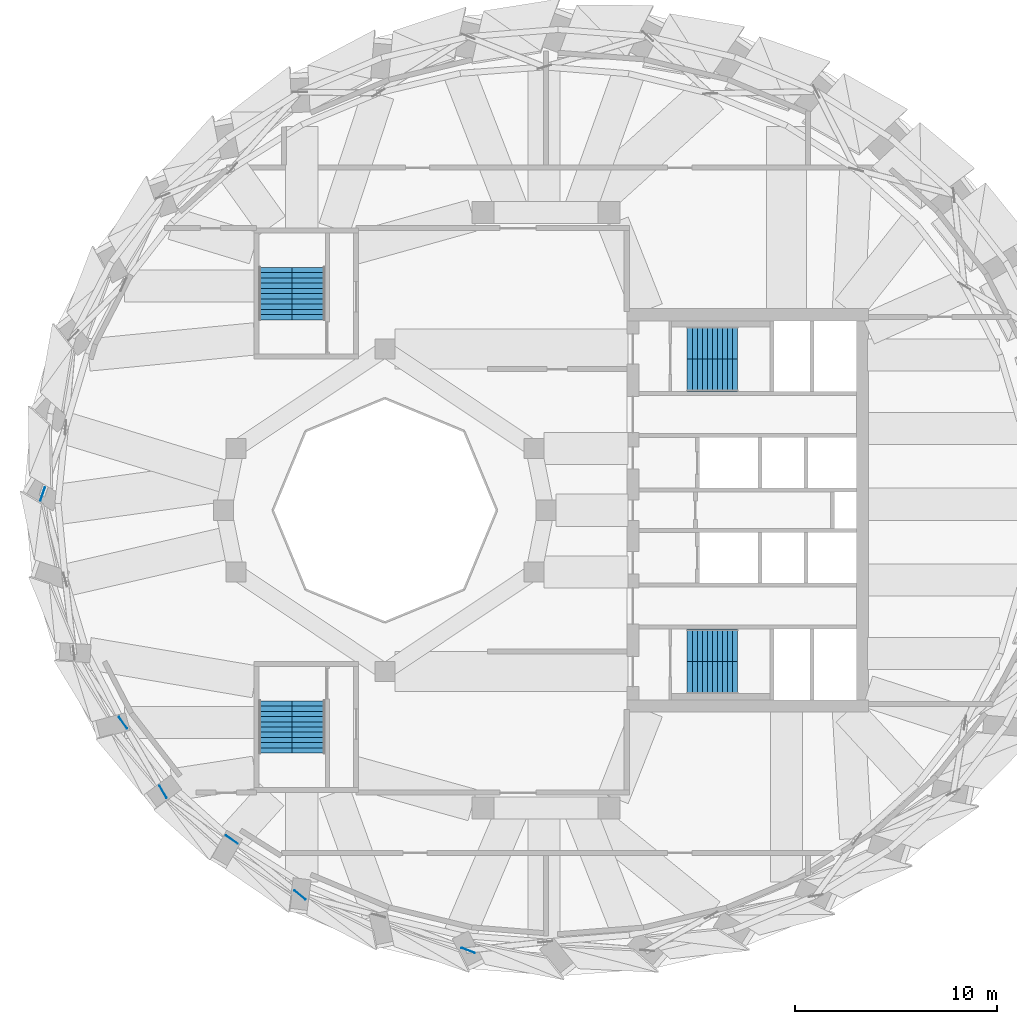
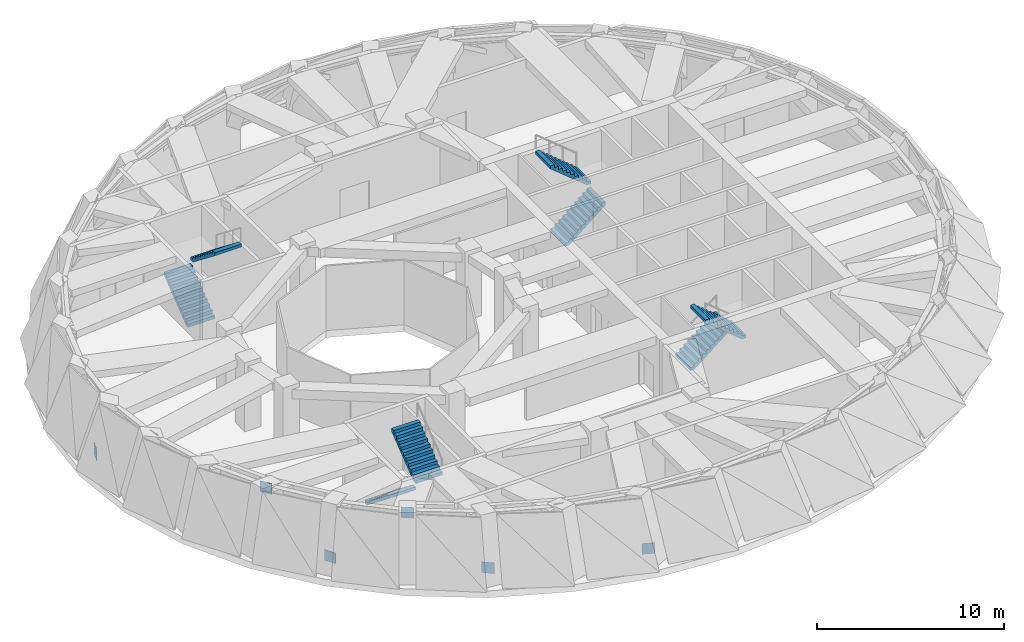
# One storey, part 7 of 14: 8 stair flights, 6 discrete accessories, 4 elements without a shape of their own.
"""IFC4 building model written with IfcOpenShell, lengths in metres."""

from ifc_helpers import new_model, si_unit, direction, frame, origin, origin_2d, place, context, subcontext, project, spatial, polyline, rectangle, outline, extrude, material, type_object, element, aggregate, save


model = new_model("IFC4")

# Units and contexts
model_context = context("Model", 3, precision=1e-05, world=origin(), true_north=direction((0.0, 1.0)))
body_context = subcontext(model_context, "Body", "Model", "MODEL_VIEW")
ifc_project = project(units=[si_unit("LENGTHUNIT", "METRE"), si_unit("AREAUNIT", "SQUARE_METRE"), si_unit("VOLUMEUNIT", "CUBIC_METRE"), si_unit("PLANEANGLEUNIT", "RADIAN"), si_unit("MASSUNIT", "GRAM", prefix="KILO")], contexts=[model_context])

# Site, building, storey
site_placement = place(None, origin())
site = spatial("IfcSite", under=ifc_project, at=site_placement, CompositionType="ELEMENT")
building_placement = place(site_placement, origin())
building = spatial("IfcBuilding", under=site, at=building_placement, Name="Taillehof Tower", CompositionType="ELEMENT")
storey_placement = place(building_placement, frame((0.0, 0.0, 228.800048828125)))
storey = spatial("IfcBuildingStorey", under=building, at=storey_placement, Name="L65", CompositionType="ELEMENT", Elevation=228.800048828125)

# Stair, stair flights
ifc_material_1 = material(Name="Concrete C40/50", Category="concrete")
stair_type = type_object("IfcStairType", Name="Exit stair half-turn", PredefinedType="HALF_TURN_STAIR", material=ifc_material_1)
stair_1_placement = place(storey_placement, origin())
stair_1 = element("IfcStair", 1, at=stair_1_placement, inside=storey, type_object=stair_type, Name="Exit stair S1", PredefinedType="HALF_TURN_STAIR")
ifc_material_2 = material(Name="Concrete C40/50", Category="concrete")
stair_flight_type_1 = type_object("IfcStairFlightType", Name="Stair flight 1600 riser 204.5 going 250", PredefinedType="STRAIGHT", material=ifc_material_2)
stair_flight_1_placement = place(storey_placement, frame((7.0, 6.699951171875, 0.0), z_axis=(0.0, 0.0, 1.0), x_axis=(1.0, 0.0, 0.0)))
stair_flight_1 = element("IfcStairFlight", 2, at=stair_flight_1_placement, type_object=stair_flight_type_1, Name="S1 flight 1", NumberOfRisers=11, NumberOfTreads=10, PredefinedType="STRAIGHT", RiserHeight=0.204545455, TreadLength=0.25, context=body_context, shape_type="SweptSolid", body=[
    extrude(outline(polyline([(0.0, 0.0), (0.0, 0.006103515625), (0.0, 0.011962890625), (0.0, 0.01806640625), (0.0, 0.024169921875), (0.0, 0.030029296875), (0.0, 0.0361328125), (0.0, 0.0419921875), (0.0, 0.048095703125), (0.0, 0.05419921875), (0.0, 0.06005859375), (0.0, 0.066162109375), (0.0, 0.072265625), (0.0, 0.078125), (0.0, 0.084228515625), (0.0, 0.09033203125), (0.0, 0.09619140625), (0.0, 0.102294921875), (0.0, 0.1083984375), (0.0, 0.1142578125), (0.0, 0.120361328125), (0.0, 0.126220703125), (0.0, 0.13232421875), (0.0, 0.138427734375), (0.0, 0.144287109375), (0.0, 0.150390625), (0.0, 0.156494140625), (0.0, 0.162353515625), (0.0, 0.16845703125), (0.0, 0.174560546875), (0.0, 0.180419921875), (0.0, 0.1865234375), (0.0, 0.192626953125), (0.0, 0.198486328125), (0.0, 0.20458984375), (0.25, 0.20458984375), (0.25, 0.4091796875), (0.5, 0.4091796875), (0.5, 0.613525390625), (0.75, 0.613525390625), (0.75, 0.818115234375), (1.0, 0.818115234375), (1.0, 1.022705078125), (1.25, 1.022705078125), (1.25, 1.227294921875), (1.5, 1.227294921875), (1.5, 1.431884765625), (1.75, 1.431884765625), (1.75, 1.636474609375), (2.0, 1.636474609375), (2.0, 1.8408203125), (2.25, 1.8408203125), (2.25, 2.04541015625), (2.5, 2.04541015625), (2.5, 2.039794921875), (2.5, 2.0341796875), (2.5, 2.0283203125), (2.5, 2.022705078125), (2.5, 2.01708984375), (2.5, 2.01123046875), (2.5, 2.005615234375), (2.5, 2.0), (2.5, 1.994140625), (2.5, 1.988525390625), (2.5, 1.98291015625), (2.5, 1.97705078125), (2.5, 1.971435546875), (2.5, 1.9658203125), (2.5, 1.9599609375), (2.5, 1.954345703125), (2.5, 1.94873046875), (2.5, 1.94287109375), (2.5, 1.937255859375), (2.5, 1.931640625), (2.5, 1.92578125), (2.5, 1.920166015625), (2.5, 1.91455078125), (2.5, 1.90869140625), (2.5, 1.903076171875), (2.5, 1.8974609375), (2.5, 1.8916015625), (2.5, 1.885986328125), (2.5, 1.88037109375), (2.5, 1.87451171875), (2.5, 1.868896484375), (2.5, 1.86328125), (2.5, 1.857421875), (2.5, 1.851806640625), (0.23681640625, 0.0), (0.0, 0.0)])), frame((0.0, 0.800048828125, 0.0), z_axis=(0.0, -1.0, 0.0), x_axis=(1.0, 0.0, 0.0)), (0.0, 0.0, 1.0), 1.6),
])
stair_flight_2_placement = place(storey_placement, frame((9.5, 8.300048828125, 2.25), z_axis=(0.0, 0.0, 1.0), x_axis=(-1.0, 0.0, 0.0)))
stair_flight_2 = element("IfcStairFlight", 3, at=stair_flight_2_placement, type_object=stair_flight_type_1, Name="S1 flight 2", NumberOfRisers=11, NumberOfTreads=10, PredefinedType="STRAIGHT", RiserHeight=0.204545455, TreadLength=0.25, context=body_context, shape_type="SweptSolid", body=[
    extrude(outline(polyline([(0.0, 0.0), (0.0, 0.006103515625), (0.0, 0.011962890625), (0.0, 0.01806640625), (0.0, 0.024169921875), (0.0, 0.030029296875), (0.0, 0.0361328125), (0.0, 0.0419921875), (0.0, 0.048095703125), (0.0, 0.05419921875), (0.0, 0.06005859375), (0.0, 0.066162109375), (0.0, 0.072265625), (0.0, 0.078125), (0.0, 0.084228515625), (0.0, 0.09033203125), (0.0, 0.09619140625), (0.0, 0.102294921875), (0.0, 0.1083984375), (0.0, 0.1142578125), (0.0, 0.120361328125), (0.0, 0.126220703125), (0.0, 0.13232421875), (0.0, 0.138427734375), (0.0, 0.144287109375), (0.0, 0.150390625), (0.0, 0.156494140625), (0.0, 0.162353515625), (0.0, 0.16845703125), (0.0, 0.174560546875), (0.0, 0.180419921875), (0.0, 0.1865234375), (0.0, 0.192626953125), (0.0, 0.198486328125), (0.0, 0.20458984375), (0.25, 0.20458984375), (0.25, 0.4091796875), (0.5, 0.4091796875), (0.5, 0.613525390625), (0.75, 0.613525390625), (0.75, 0.818115234375), (1.0, 0.818115234375), (1.0, 1.022705078125), (1.25, 1.022705078125), (1.25, 1.227294921875), (1.5, 1.227294921875), (1.5, 1.431884765625), (1.75, 1.431884765625), (1.75, 1.636474609375), (2.0, 1.636474609375), (2.0, 1.8408203125), (2.25, 1.8408203125), (2.25, 2.04541015625), (2.5, 2.04541015625), (2.5, 2.039794921875), (2.5, 2.0341796875), (2.5, 2.0283203125), (2.5, 2.022705078125), (2.5, 2.01708984375), (2.5, 2.01123046875), (2.5, 2.005615234375), (2.5, 2.0), (2.5, 1.994140625), (2.5, 1.988525390625), (2.5, 1.98291015625), (2.5, 1.97705078125), (2.5, 1.971435546875), (2.5, 1.9658203125), (2.5, 1.9599609375), (2.5, 1.954345703125), (2.5, 1.94873046875), (2.5, 1.94287109375), (2.5, 1.937255859375), (2.5, 1.931640625), (2.5, 1.92578125), (2.5, 1.920166015625), (2.5, 1.91455078125), (2.5, 1.90869140625), (2.5, 1.903076171875), (2.5, 1.8974609375), (2.5, 1.8916015625), (2.5, 1.885986328125), (2.5, 1.88037109375), (2.5, 1.87451171875), (2.5, 1.868896484375), (2.5, 1.86328125), (2.5, 1.857421875), (2.5, 1.851806640625), (0.23681640625, 0.0), (0.0, 0.0)])), frame((0.0, 0.800048828125, 0.0), z_axis=(0.0, -1.0, 0.0), x_axis=(1.0, 0.0, 0.0)), (0.0, 0.0, 1.0), 1.6),
])
aggregate(stair_1, [stair_flight_1, stair_flight_2])

stair_2_placement = place(storey_placement, origin())
stair_2 = element("IfcStair", 4, at=stair_2_placement, inside=storey, type_object=stair_type, Name="Exit stair S2", PredefinedType="HALF_TURN_STAIR")
stair_flight_3_placement = place(storey_placement, frame((7.0, -6.699951171875, 0.0), z_axis=(0.0, 0.0, 1.0), x_axis=(1.0, 0.0, 0.0)))
stair_flight_3 = element("IfcStairFlight", 5, at=stair_flight_3_placement, type_object=stair_flight_type_1, Name="S2 flight 1", NumberOfRisers=11, NumberOfTreads=10, PredefinedType="STRAIGHT", RiserHeight=0.204545455, TreadLength=0.25, context=body_context, shape_type="SweptSolid", body=[
    extrude(outline(polyline([(0.0, 0.0), (0.0, 0.006103515625), (0.0, 0.011962890625), (0.0, 0.01806640625), (0.0, 0.024169921875), (0.0, 0.030029296875), (0.0, 0.0361328125), (0.0, 0.0419921875), (0.0, 0.048095703125), (0.0, 0.05419921875), (0.0, 0.06005859375), (0.0, 0.066162109375), (0.0, 0.072265625), (0.0, 0.078125), (0.0, 0.084228515625), (0.0, 0.09033203125), (0.0, 0.09619140625), (0.0, 0.102294921875), (0.0, 0.1083984375), (0.0, 0.1142578125), (0.0, 0.120361328125), (0.0, 0.126220703125), (0.0, 0.13232421875), (0.0, 0.138427734375), (0.0, 0.144287109375), (0.0, 0.150390625), (0.0, 0.156494140625), (0.0, 0.162353515625), (0.0, 0.16845703125), (0.0, 0.174560546875), (0.0, 0.180419921875), (0.0, 0.1865234375), (0.0, 0.192626953125), (0.0, 0.198486328125), (0.0, 0.20458984375), (0.25, 0.20458984375), (0.25, 0.4091796875), (0.5, 0.4091796875), (0.5, 0.613525390625), (0.75, 0.613525390625), (0.75, 0.818115234375), (1.0, 0.818115234375), (1.0, 1.022705078125), (1.25, 1.022705078125), (1.25, 1.227294921875), (1.5, 1.227294921875), (1.5, 1.431884765625), (1.75, 1.431884765625), (1.75, 1.636474609375), (2.0, 1.636474609375), (2.0, 1.8408203125), (2.25, 1.8408203125), (2.25, 2.04541015625), (2.5, 2.04541015625), (2.5, 2.039794921875), (2.5, 2.0341796875), (2.5, 2.0283203125), (2.5, 2.022705078125), (2.5, 2.01708984375), (2.5, 2.01123046875), (2.5, 2.005615234375), (2.5, 2.0), (2.5, 1.994140625), (2.5, 1.988525390625), (2.5, 1.98291015625), (2.5, 1.97705078125), (2.5, 1.971435546875), (2.5, 1.9658203125), (2.5, 1.9599609375), (2.5, 1.954345703125), (2.5, 1.94873046875), (2.5, 1.94287109375), (2.5, 1.937255859375), (2.5, 1.931640625), (2.5, 1.92578125), (2.5, 1.920166015625), (2.5, 1.91455078125), (2.5, 1.90869140625), (2.5, 1.903076171875), (2.5, 1.8974609375), (2.5, 1.8916015625), (2.5, 1.885986328125), (2.5, 1.88037109375), (2.5, 1.87451171875), (2.5, 1.868896484375), (2.5, 1.86328125), (2.5, 1.857421875), (2.5, 1.851806640625), (0.23681640625, 0.0), (0.0, 0.0)])), frame((0.0, 0.800048828125, 0.0), z_axis=(0.0, -1.0, 0.0), x_axis=(1.0, 0.0, 0.0)), (0.0, 0.0, 1.0), 1.6),
])
stair_flight_4_placement = place(storey_placement, frame((9.5, -8.300048828125, 2.25), z_axis=(0.0, 0.0, 1.0), x_axis=(-1.0, 0.0, 0.0)))
stair_flight_4 = element("IfcStairFlight", 6, at=stair_flight_4_placement, type_object=stair_flight_type_1, Name="S2 flight 2", NumberOfRisers=11, NumberOfTreads=10, PredefinedType="STRAIGHT", RiserHeight=0.204545455, TreadLength=0.25, context=body_context, shape_type="SweptSolid", body=[
    extrude(outline(polyline([(0.0, 0.0), (0.0, 0.006103515625), (0.0, 0.011962890625), (0.0, 0.01806640625), (0.0, 0.024169921875), (0.0, 0.030029296875), (0.0, 0.0361328125), (0.0, 0.0419921875), (0.0, 0.048095703125), (0.0, 0.05419921875), (0.0, 0.06005859375), (0.0, 0.066162109375), (0.0, 0.072265625), (0.0, 0.078125), (0.0, 0.084228515625), (0.0, 0.09033203125), (0.0, 0.09619140625), (0.0, 0.102294921875), (0.0, 0.1083984375), (0.0, 0.1142578125), (0.0, 0.120361328125), (0.0, 0.126220703125), (0.0, 0.13232421875), (0.0, 0.138427734375), (0.0, 0.144287109375), (0.0, 0.150390625), (0.0, 0.156494140625), (0.0, 0.162353515625), (0.0, 0.16845703125), (0.0, 0.174560546875), (0.0, 0.180419921875), (0.0, 0.1865234375), (0.0, 0.192626953125), (0.0, 0.198486328125), (0.0, 0.20458984375), (0.25, 0.20458984375), (0.25, 0.4091796875), (0.5, 0.4091796875), (0.5, 0.613525390625), (0.75, 0.613525390625), (0.75, 0.818115234375), (1.0, 0.818115234375), (1.0, 1.022705078125), (1.25, 1.022705078125), (1.25, 1.227294921875), (1.5, 1.227294921875), (1.5, 1.431884765625), (1.75, 1.431884765625), (1.75, 1.636474609375), (2.0, 1.636474609375), (2.0, 1.8408203125), (2.25, 1.8408203125), (2.25, 2.04541015625), (2.5, 2.04541015625), (2.5, 2.039794921875), (2.5, 2.0341796875), (2.5, 2.0283203125), (2.5, 2.022705078125), (2.5, 2.01708984375), (2.5, 2.01123046875), (2.5, 2.005615234375), (2.5, 2.0), (2.5, 1.994140625), (2.5, 1.988525390625), (2.5, 1.98291015625), (2.5, 1.97705078125), (2.5, 1.971435546875), (2.5, 1.9658203125), (2.5, 1.9599609375), (2.5, 1.954345703125), (2.5, 1.94873046875), (2.5, 1.94287109375), (2.5, 1.937255859375), (2.5, 1.931640625), (2.5, 1.92578125), (2.5, 1.920166015625), (2.5, 1.91455078125), (2.5, 1.90869140625), (2.5, 1.903076171875), (2.5, 1.8974609375), (2.5, 1.8916015625), (2.5, 1.885986328125), (2.5, 1.88037109375), (2.5, 1.87451171875), (2.5, 1.868896484375), (2.5, 1.86328125), (2.5, 1.857421875), (2.5, 1.851806640625), (0.23681640625, 0.0), (0.0, 0.0)])), frame((0.0, 0.800048828125, 0.0), z_axis=(0.0, -1.0, 0.0), x_axis=(1.0, 0.0, 0.0)), (0.0, 0.0, 1.0), 1.6),
])
aggregate(stair_2, [stair_flight_3, stair_flight_4])

stair_3_placement = place(storey_placement, origin())
stair_3 = element("IfcStair", 7, at=stair_3_placement, inside=storey, type_object=stair_type, Name="Exit stair S3", PredefinedType="HALF_TURN_STAIR")
ifc_material_3 = material(Name="Concrete C40/50", Category="concrete")
stair_flight_type_2 = type_object("IfcStairFlightType", Name="Stair flight 1650 riser 204.5 going 260", PredefinedType="STRAIGHT", material=ifc_material_3)
stair_flight_5_placement = place(storey_placement, frame((-13.425048828125, 9.449951171875, 0.0), z_axis=(0.0, 0.0, 1.0), x_axis=(0.0, 1.0, 0.0)))
stair_flight_5 = element("IfcStairFlight", 8, at=stair_flight_5_placement, type_object=stair_flight_type_2, Name="S3 flight 1", NumberOfRisers=11, NumberOfTreads=10, PredefinedType="STRAIGHT", RiserHeight=0.204545455, TreadLength=0.26, context=body_context, shape_type="SweptSolid", body=[
    extrude(outline(polyline([(0.0, 0.0), (0.0, 0.006103515625), (0.0, 0.011962890625), (0.0, 0.01806640625), (0.0, 0.024169921875), (0.0, 0.030029296875), (0.0, 0.0361328125), (0.0, 0.0419921875), (0.0, 0.048095703125), (0.0, 0.05419921875), (0.0, 0.06005859375), (0.0, 0.066162109375), (0.0, 0.072265625), (0.0, 0.078125), (0.0, 0.084228515625), (0.0, 0.09033203125), (0.0, 0.09619140625), (0.0, 0.102294921875), (0.0, 0.1083984375), (0.0, 0.1142578125), (0.0, 0.120361328125), (0.0, 0.126220703125), (0.0, 0.13232421875), (0.0, 0.138427734375), (0.0, 0.144287109375), (0.0, 0.150390625), (0.0, 0.156494140625), (0.0, 0.162353515625), (0.0, 0.16845703125), (0.0, 0.174560546875), (0.0, 0.180419921875), (0.0, 0.1865234375), (0.0, 0.192626953125), (0.0, 0.198486328125), (0.0, 0.20458984375), (0.260009765625, 0.20458984375), (0.260009765625, 0.4091796875), (0.52001953125, 0.4091796875), (0.52001953125, 0.613525390625), (0.780029296875, 0.613525390625), (0.780029296875, 0.818115234375), (1.0400390625, 0.818115234375), (1.0400390625, 1.022705078125), (1.300048828125, 1.022705078125), (1.300048828125, 1.227294921875), (1.56005859375, 1.227294921875), (1.56005859375, 1.431884765625), (1.820068359375, 1.431884765625), (1.820068359375, 1.636474609375), (2.080078125, 1.636474609375), (2.080078125, 1.8408203125), (2.340087890625, 1.8408203125), (2.340087890625, 2.04541015625), (2.60009765625, 2.04541015625), (2.60009765625, 2.039794921875), (2.60009765625, 2.0341796875), (2.60009765625, 2.028564453125), (2.60009765625, 2.02294921875), (2.60009765625, 2.017333984375), (2.60009765625, 2.01171875), (2.60009765625, 2.006103515625), (2.60009765625, 2.00048828125), (2.60009765625, 1.994873046875), (2.60009765625, 1.9892578125), (2.60009765625, 1.983642578125), (2.60009765625, 1.97802734375), (2.60009765625, 1.972412109375), (2.60009765625, 1.966796875), (2.60009765625, 1.96142578125), (2.60009765625, 1.955810546875), (2.60009765625, 1.9501953125), (2.60009765625, 1.944580078125), (2.60009765625, 1.93896484375), (2.60009765625, 1.933349609375), (2.60009765625, 1.927734375), (2.60009765625, 1.922119140625), (2.60009765625, 1.91650390625), (2.60009765625, 1.910888671875), (2.60009765625, 1.9052734375), (2.60009765625, 1.899658203125), (2.60009765625, 1.89404296875), (2.60009765625, 1.888427734375), (2.60009765625, 1.8828125), (2.60009765625, 1.877197265625), (2.60009765625, 1.87158203125), (2.60009765625, 1.865966796875), (2.60009765625, 1.8603515625), (2.60009765625, 1.854736328125), (0.242431640625, 0.0), (0.0, 0.0)])), frame((0.0, 0.824951171875, 0.0), z_axis=(0.0, -1.0, 0.0), x_axis=(1.0, 0.0, 0.0)), (0.0, 0.0, 1.0), 1.65),
])
stair_flight_6_placement = place(storey_placement, frame((-11.77490234375, 12.050048828125, 2.25), z_axis=(0.0, 0.0, 1.0), x_axis=(0.0, -1.0, 0.0)))
stair_flight_6 = element("IfcStairFlight", 9, at=stair_flight_6_placement, type_object=stair_flight_type_2, Name="S3 flight 2", NumberOfRisers=11, NumberOfTreads=10, PredefinedType="STRAIGHT", RiserHeight=0.204545455, TreadLength=0.26, context=body_context, shape_type="SweptSolid", body=[
    extrude(outline(polyline([(0.0, 0.0), (0.0, 0.006103515625), (0.0, 0.011962890625), (0.0, 0.01806640625), (0.0, 0.024169921875), (0.0, 0.030029296875), (0.0, 0.0361328125), (0.0, 0.0419921875), (0.0, 0.048095703125), (0.0, 0.05419921875), (0.0, 0.06005859375), (0.0, 0.066162109375), (0.0, 0.072265625), (0.0, 0.078125), (0.0, 0.084228515625), (0.0, 0.09033203125), (0.0, 0.09619140625), (0.0, 0.102294921875), (0.0, 0.1083984375), (0.0, 0.1142578125), (0.0, 0.120361328125), (0.0, 0.126220703125), (0.0, 0.13232421875), (0.0, 0.138427734375), (0.0, 0.144287109375), (0.0, 0.150390625), (0.0, 0.156494140625), (0.0, 0.162353515625), (0.0, 0.16845703125), (0.0, 0.174560546875), (0.0, 0.180419921875), (0.0, 0.1865234375), (0.0, 0.192626953125), (0.0, 0.198486328125), (0.0, 0.20458984375), (0.260009765625, 0.20458984375), (0.260009765625, 0.4091796875), (0.52001953125, 0.4091796875), (0.52001953125, 0.613525390625), (0.780029296875, 0.613525390625), (0.780029296875, 0.818115234375), (1.0400390625, 0.818115234375), (1.0400390625, 1.022705078125), (1.300048828125, 1.022705078125), (1.300048828125, 1.227294921875), (1.56005859375, 1.227294921875), (1.56005859375, 1.431884765625), (1.820068359375, 1.431884765625), (1.820068359375, 1.636474609375), (2.080078125, 1.636474609375), (2.080078125, 1.8408203125), (2.340087890625, 1.8408203125), (2.340087890625, 2.04541015625), (2.60009765625, 2.04541015625), (2.60009765625, 2.039794921875), (2.60009765625, 2.0341796875), (2.60009765625, 2.028564453125), (2.60009765625, 2.02294921875), (2.60009765625, 2.017333984375), (2.60009765625, 2.01171875), (2.60009765625, 2.006103515625), (2.60009765625, 2.00048828125), (2.60009765625, 1.994873046875), (2.60009765625, 1.9892578125), (2.60009765625, 1.983642578125), (2.60009765625, 1.97802734375), (2.60009765625, 1.972412109375), (2.60009765625, 1.966796875), (2.60009765625, 1.96142578125), (2.60009765625, 1.955810546875), (2.60009765625, 1.9501953125), (2.60009765625, 1.944580078125), (2.60009765625, 1.93896484375), (2.60009765625, 1.933349609375), (2.60009765625, 1.927734375), (2.60009765625, 1.922119140625), (2.60009765625, 1.91650390625), (2.60009765625, 1.910888671875), (2.60009765625, 1.9052734375), (2.60009765625, 1.899658203125), (2.60009765625, 1.89404296875), (2.60009765625, 1.888427734375), (2.60009765625, 1.8828125), (2.60009765625, 1.877197265625), (2.60009765625, 1.87158203125), (2.60009765625, 1.865966796875), (2.60009765625, 1.8603515625), (2.60009765625, 1.854736328125), (0.242431640625, 0.0), (0.0, 0.0)])), frame((0.0, 0.824951171875, 0.0), z_axis=(0.0, -1.0, 0.0), x_axis=(1.0, 0.0, 0.0)), (0.0, 0.0, 1.0), 1.65),
])
aggregate(stair_3, [stair_flight_5, stair_flight_6])

stair_4_placement = place(storey_placement, origin())
stair_4 = element("IfcStair", 10, at=stair_4_placement, inside=storey, type_object=stair_type, Name="Exit stair S4", PredefinedType="HALF_TURN_STAIR")
stair_flight_7_placement = place(storey_placement, frame((-13.425048828125, -9.449951171875, 0.0), z_axis=(0.0, 0.0, 1.0), x_axis=(0.0, -1.0, 0.0)))
stair_flight_7 = element("IfcStairFlight", 11, at=stair_flight_7_placement, type_object=stair_flight_type_2, Name="S4 flight 1", NumberOfRisers=11, NumberOfTreads=10, PredefinedType="STRAIGHT", RiserHeight=0.204545455, TreadLength=0.26, context=body_context, shape_type="SweptSolid", body=[
    extrude(outline(polyline([(0.0, 0.0), (0.0, 0.006103515625), (0.0, 0.011962890625), (0.0, 0.01806640625), (0.0, 0.024169921875), (0.0, 0.030029296875), (0.0, 0.0361328125), (0.0, 0.0419921875), (0.0, 0.048095703125), (0.0, 0.05419921875), (0.0, 0.06005859375), (0.0, 0.066162109375), (0.0, 0.072265625), (0.0, 0.078125), (0.0, 0.084228515625), (0.0, 0.09033203125), (0.0, 0.09619140625), (0.0, 0.102294921875), (0.0, 0.1083984375), (0.0, 0.1142578125), (0.0, 0.120361328125), (0.0, 0.126220703125), (0.0, 0.13232421875), (0.0, 0.138427734375), (0.0, 0.144287109375), (0.0, 0.150390625), (0.0, 0.156494140625), (0.0, 0.162353515625), (0.0, 0.16845703125), (0.0, 0.174560546875), (0.0, 0.180419921875), (0.0, 0.1865234375), (0.0, 0.192626953125), (0.0, 0.198486328125), (0.0, 0.20458984375), (0.260009765625, 0.20458984375), (0.260009765625, 0.4091796875), (0.52001953125, 0.4091796875), (0.52001953125, 0.613525390625), (0.780029296875, 0.613525390625), (0.780029296875, 0.818115234375), (1.0400390625, 0.818115234375), (1.0400390625, 1.022705078125), (1.300048828125, 1.022705078125), (1.300048828125, 1.227294921875), (1.56005859375, 1.227294921875), (1.56005859375, 1.431884765625), (1.820068359375, 1.431884765625), (1.820068359375, 1.636474609375), (2.080078125, 1.636474609375), (2.080078125, 1.8408203125), (2.340087890625, 1.8408203125), (2.340087890625, 2.04541015625), (2.60009765625, 2.04541015625), (2.60009765625, 2.039794921875), (2.60009765625, 2.0341796875), (2.60009765625, 2.028564453125), (2.60009765625, 2.02294921875), (2.60009765625, 2.017333984375), (2.60009765625, 2.01171875), (2.60009765625, 2.006103515625), (2.60009765625, 2.00048828125), (2.60009765625, 1.994873046875), (2.60009765625, 1.9892578125), (2.60009765625, 1.983642578125), (2.60009765625, 1.97802734375), (2.60009765625, 1.972412109375), (2.60009765625, 1.966796875), (2.60009765625, 1.96142578125), (2.60009765625, 1.955810546875), (2.60009765625, 1.9501953125), (2.60009765625, 1.944580078125), (2.60009765625, 1.93896484375), (2.60009765625, 1.933349609375), (2.60009765625, 1.927734375), (2.60009765625, 1.922119140625), (2.60009765625, 1.91650390625), (2.60009765625, 1.910888671875), (2.60009765625, 1.9052734375), (2.60009765625, 1.899658203125), (2.60009765625, 1.89404296875), (2.60009765625, 1.888427734375), (2.60009765625, 1.8828125), (2.60009765625, 1.877197265625), (2.60009765625, 1.87158203125), (2.60009765625, 1.865966796875), (2.60009765625, 1.8603515625), (2.60009765625, 1.854736328125), (0.242431640625, 0.0), (0.0, 0.0)])), frame((0.0, 0.824951171875, 0.0), z_axis=(0.0, -1.0, 0.0), x_axis=(1.0, 0.0, 0.0)), (0.0, 0.0, 1.0), 1.65),
])
stair_flight_8_placement = place(storey_placement, frame((-11.77490234375, -12.050048828125, 2.25), z_axis=(0.0, 0.0, 1.0), x_axis=(0.0, 1.0, 0.0)))
stair_flight_8 = element("IfcStairFlight", 12, at=stair_flight_8_placement, type_object=stair_flight_type_2, Name="S4 flight 2", NumberOfRisers=11, NumberOfTreads=10, PredefinedType="STRAIGHT", RiserHeight=0.204545455, TreadLength=0.26, context=body_context, shape_type="SweptSolid", body=[
    extrude(outline(polyline([(0.0, 0.0), (0.0, 0.006103515625), (0.0, 0.011962890625), (0.0, 0.01806640625), (0.0, 0.024169921875), (0.0, 0.030029296875), (0.0, 0.0361328125), (0.0, 0.0419921875), (0.0, 0.048095703125), (0.0, 0.05419921875), (0.0, 0.06005859375), (0.0, 0.066162109375), (0.0, 0.072265625), (0.0, 0.078125), (0.0, 0.084228515625), (0.0, 0.09033203125), (0.0, 0.09619140625), (0.0, 0.102294921875), (0.0, 0.1083984375), (0.0, 0.1142578125), (0.0, 0.120361328125), (0.0, 0.126220703125), (0.0, 0.13232421875), (0.0, 0.138427734375), (0.0, 0.144287109375), (0.0, 0.150390625), (0.0, 0.156494140625), (0.0, 0.162353515625), (0.0, 0.16845703125), (0.0, 0.174560546875), (0.0, 0.180419921875), (0.0, 0.1865234375), (0.0, 0.192626953125), (0.0, 0.198486328125), (0.0, 0.20458984375), (0.260009765625, 0.20458984375), (0.260009765625, 0.4091796875), (0.52001953125, 0.4091796875), (0.52001953125, 0.613525390625), (0.780029296875, 0.613525390625), (0.780029296875, 0.818115234375), (1.0400390625, 0.818115234375), (1.0400390625, 1.022705078125), (1.300048828125, 1.022705078125), (1.300048828125, 1.227294921875), (1.56005859375, 1.227294921875), (1.56005859375, 1.431884765625), (1.820068359375, 1.431884765625), (1.820068359375, 1.636474609375), (2.080078125, 1.636474609375), (2.080078125, 1.8408203125), (2.340087890625, 1.8408203125), (2.340087890625, 2.04541015625), (2.60009765625, 2.04541015625), (2.60009765625, 2.039794921875), (2.60009765625, 2.0341796875), (2.60009765625, 2.028564453125), (2.60009765625, 2.02294921875), (2.60009765625, 2.017333984375), (2.60009765625, 2.01171875), (2.60009765625, 2.006103515625), (2.60009765625, 2.00048828125), (2.60009765625, 1.994873046875), (2.60009765625, 1.9892578125), (2.60009765625, 1.983642578125), (2.60009765625, 1.97802734375), (2.60009765625, 1.972412109375), (2.60009765625, 1.966796875), (2.60009765625, 1.96142578125), (2.60009765625, 1.955810546875), (2.60009765625, 1.9501953125), (2.60009765625, 1.944580078125), (2.60009765625, 1.93896484375), (2.60009765625, 1.933349609375), (2.60009765625, 1.927734375), (2.60009765625, 1.922119140625), (2.60009765625, 1.91650390625), (2.60009765625, 1.910888671875), (2.60009765625, 1.9052734375), (2.60009765625, 1.899658203125), (2.60009765625, 1.89404296875), (2.60009765625, 1.888427734375), (2.60009765625, 1.8828125), (2.60009765625, 1.877197265625), (2.60009765625, 1.87158203125), (2.60009765625, 1.865966796875), (2.60009765625, 1.8603515625), (2.60009765625, 1.854736328125), (0.242431640625, 0.0), (0.0, 0.0)])), frame((0.0, 0.824951171875, 0.0), z_axis=(0.0, -1.0, 0.0), x_axis=(1.0, 0.0, 0.0)), (0.0, 0.0, 1.0), 1.65),
])
aggregate(stair_4, [stair_flight_7, stair_flight_8])

# Discrete accessories
ifc_material_4 = material(Name="Steel S460M", Category="steel")
discrete_accessory_type = type_object("IfcDiscreteAccessoryType", Name="Steel gusset plate", PredefinedType="BRACKET", material=ifc_material_4)
for number, where, z_axis, x_axis, name in (
    (13, (-24.97998046875, 0.800048828125, 0.5498046875), (0.0, 0.0, 1.0), (-0.324066024942, -0.946034466327, 0.0), "Gusset plate 273"),
    (14, (-20.989990234375, -10.5400390625, 3.669921875), (0.0, 0.0, 1.0), (0.574615358994, -0.818423600105, 0.0), "Gusset plate 278"),
    (15, (-19.0, -13.969970703125, 0.5498046875), (0.0, 0.0, 1.0), (0.502855517122, -0.864370481275, 0.0), "Gusset plate 281"),
    (16, (-15.590087890625, -16.340087890625, 3.669921875), (0.0, 0.0, 1.0), (0.820940973143, -0.571013063437, 0.0), "Gusset plate 282"),
    (17, (-12.2099609375, -19.090087890625, 0.5498046875), (0.0, 0.0, 1.0), (0.775156240242, -0.631769580792, 0.0), "Gusset plate 284"),
    (18, (-3.8701171875, -21.830078125, 0.5498046875), (0.0, 0.0, 1.0), (0.932745407565, -0.36053571899, 0.0), "Gusset plate 288"),
):
    element("IfcDiscreteAccessory", number, at=place(storey_placement, frame(where, z_axis=z_axis, x_axis=x_axis)), inside=storey, type_object=discrete_accessory_type, Name=name, PredefinedType="BRACKET", context=body_context, shape_type="SweptSolid", body=[
        extrude(rectangle(XDim=0.699951171875, YDim=0.02490234375, at=origin_2d()), origin(), (0.0, 0.0, 1.0), 0.699951171875),
    ])

save(model, "model.ifc")
